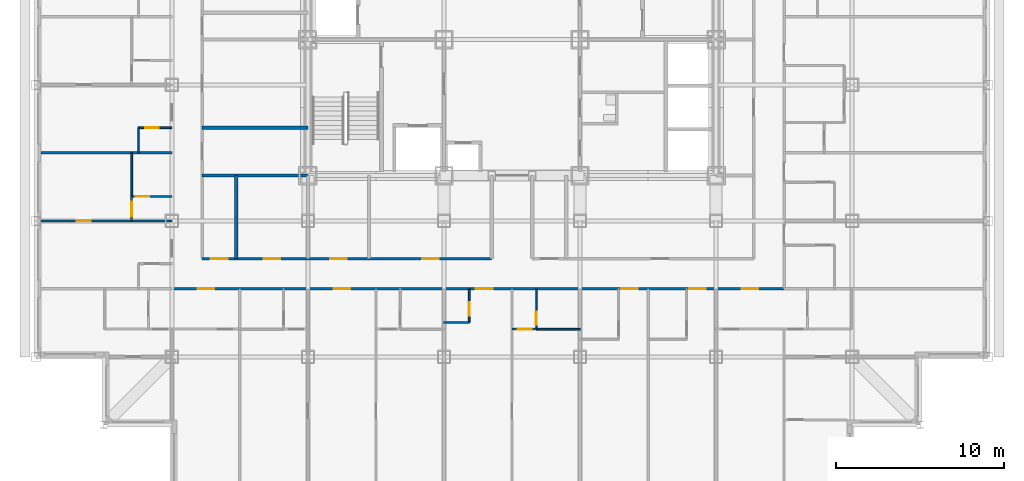
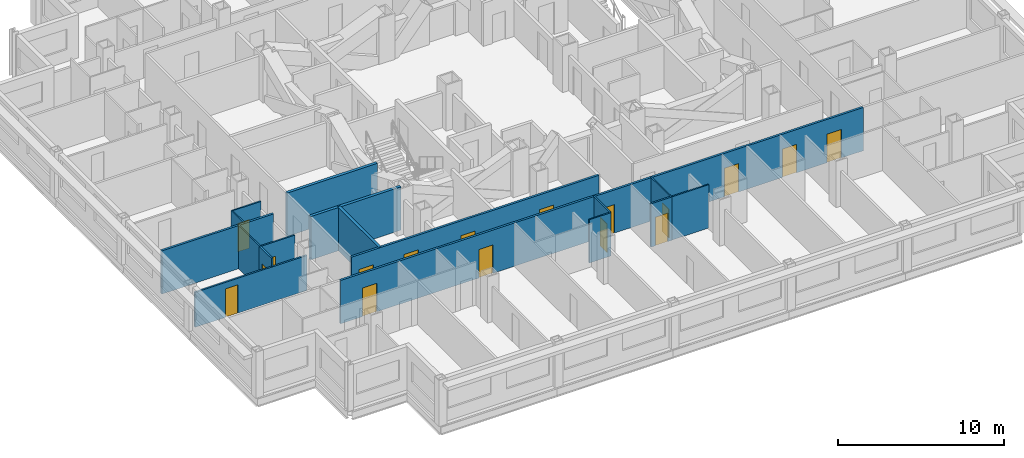
# One storey, part 5 of 14: 17 doors, 17 walls, 17 openings.
"""IFC4 building model written with IfcOpenShell, lengths in metres."""

import ifcopenshell
import ifcopenshell.guid

model = None  # the IFC model being written
_history = None  # IfcOwnerHistory: only IFC2X3 demands one
_inside = {}  # id of a spatial element -> (the spatial element, [elements in it])
_under = {}  # id of a project, library or spatial element -> (it, [spatial elements below it])
_declared = {}  # id of a project -> (the project, [libraries it declares])
_typed = {}  # id of a type object -> (the type object, [elements of that type])
_made_of = {}  # id of a material, layer set ... -> (it, [elements and type objects made of it])


def new_model(schema):
    """Start an empty IFC model of exactly this schema.

    Asked for "IFC4X3", IfcOpenShell would pick the latest addendum, in which some entities
    have other attributes; the version numbers below select the first issue.
    IFC2X3 requires an IfcOwnerHistory on every rooted entity: one is made here for all.
    """
    global model, _history
    if schema == "IFC4X3":
        model = ifcopenshell.file(schema_version=(4, 3, 0, 0))
    else:
        model = ifcopenshell.file(schema=schema)
    _inside.clear()
    _under.clear()
    _declared.clear()
    _typed.clear()
    _made_of.clear()
    _history = None
    if model.schema == "IFC2X3":
        org = make("IfcOrganization", Name="unknown")
        user = make(
            "IfcPersonAndOrganization",
            ThePerson=make("IfcPerson", FamilyName="unknown"),
            TheOrganization=org,
        )
        app = make(
            "IfcApplication",
            ApplicationDeveloper=org,
            Version="unknown",
            ApplicationFullName="unknown",
            ApplicationIdentifier="unknown",
        )
        _history = make(
            "IfcOwnerHistory",
            OwningUser=user,
            OwningApplication=app,
            ChangeAction="ADDED",
            CreationDate=0,
        )
    return model


def make(cls, **values):
    """One entity of the class cls with the attributes given. An attribute that is None is left unset."""
    return model.create_entity(
        cls, **{name: value for name, value in values.items() if value is not None}
    )


def rooted(cls, **values):
    """An entity with a GlobalId (a new one), such as an element, a storey or a relation."""
    return make(cls, GlobalId=ifcopenshell.guid.new(), OwnerHistory=_history, **values)


def si_unit(unit_type, name, prefix=None):
    """IfcSIUnit, for example si_unit("LENGTHUNIT", "METRE", prefix="MILLI")."""
    return make("IfcSIUnit", UnitType=unit_type, Prefix=prefix, Name=name)


def assignment(units):
    """IfcUnitAssignment: the units of a project."""
    return None if units is None else make("IfcUnitAssignment", Units=units)


def point(xyz):
    """IfcCartesianPoint."""
    return None if xyz is None else make("IfcCartesianPoint", Coordinates=xyz)


def direction(xyz):
    """IfcDirection."""
    return None if xyz is None else make("IfcDirection", DirectionRatios=xyz)


def frame(location, z_axis=None, x_axis=None):
    """IfcAxis2Placement3D, a coordinate frame: its origin and axes. An axis left out is left unset."""
    return make(
        "IfcAxis2Placement3D",
        Location=point(location),
        Axis=direction(z_axis),
        RefDirection=direction(x_axis),
    )


def frame_2d(location, x_axis=None):
    """IfcAxis2Placement2D, a coordinate frame in the plane: its origin and x axis."""
    return make(
        "IfcAxis2Placement2D", Location=point(location), RefDirection=direction(x_axis)
    )


def origin():
    """The frame at (0, 0, 0) with its axes left unset."""
    return frame((0.0, 0.0, 0.0))


def place(relative_to, where):
    """IfcLocalPlacement: puts the frame where relative to a parent placement (None: the world)."""
    return make(
        "IfcLocalPlacement", PlacementRelTo=relative_to, RelativePlacement=where
    )


def context(
    kind, dimensions, precision=None, world=None, true_north=None, identifier=None
):
    """IfcGeometricRepresentationContext, for example the 3D "Model" context."""
    return make(
        "IfcGeometricRepresentationContext",
        ContextIdentifier=identifier,
        ContextType=kind,
        CoordinateSpaceDimension=dimensions,
        Precision=precision,
        WorldCoordinateSystem=world,
        TrueNorth=true_north,
    )


def subcontext(parent, identifier, kind, view, scale=None):
    """IfcGeometricRepresentationSubContext, for example "Body" below "Model"."""
    return make(
        "IfcGeometricRepresentationSubContext",
        ContextIdentifier=identifier,
        ContextType=kind,
        ParentContext=parent,
        TargetScale=scale,
        TargetView=view,
    )


def project(units=None, contexts=None):
    """IfcProject with its units and contexts."""
    return rooted(
        "IfcProject",
        Name="project",
        RepresentationContexts=contexts,
        UnitsInContext=assignment(units),
    )


def spatial(cls, under=None, at=None, **own):
    """A site, building, storey or space (cls), placed at a placement, below another one or the project."""
    s = rooted(cls, ObjectPlacement=at, **own)
    if under is not None:
        _under.setdefault(under.id(), (under, []))[1].append(s)
    return s


def profile(cls, at=None, kind="AREA", **sizes):
    """A parametric profile (cls). Its sizes go by their IFC names, for example OverallWidth=200.0."""
    return make(cls, ProfileType=kind, Position=at, **sizes)


def rectangle(**sizes):
    """IfcRectangleProfileDef."""
    return profile("IfcRectangleProfileDef", **sizes)


def extrude(swept, where, along, depth):
    """IfcExtrudedAreaSolid: the profile swept, set in the frame where, extruded along a direction by depth."""
    return make(
        "IfcExtrudedAreaSolid",
        SweptArea=swept,
        Position=where,
        ExtrudedDirection=direction(along),
        Depth=depth,
    )


def shape(context_of_items, identifier, shape_type, items):
    """IfcShapeRepresentation: the items that make up one representation, for example the "Body"."""
    return make(
        "IfcShapeRepresentation",
        ContextOfItems=context_of_items,
        RepresentationIdentifier=identifier,
        RepresentationType=shape_type,
        Items=items,
    )


def material(Name=None, Category=None):
    """IfcMaterial."""
    return make("IfcMaterial", Name=Name, Category=Category)


def layer(
    of_material, thickness, ventilated=None, Name=None, Category=None, Priority=None
):
    """IfcMaterialLayer: one layer of a wall or slab, of a material (None: an air gap)."""
    return make(
        "IfcMaterialLayer",
        Material=of_material,
        LayerThickness=thickness,
        IsVentilated=ventilated,
        Name=Name,
        Category=Category,
        Priority=Priority,
    )


def layer_set(layers, Name=None):
    """IfcMaterialLayerSet."""
    return make("IfcMaterialLayerSet", MaterialLayers=layers, LayerSetName=Name)


def made_of(thing, what):
    """Note that an element or type object is made of a material, layer set ...; save() writes the relation."""
    if what is not None:
        _made_of.setdefault(what.id(), (what, []))[1].append(thing)
    return thing


def type_object(cls, material=None, **own):
    """A type object (cls), such as IfcWallType, which elements share."""
    return made_of(rooted(cls, **own), material)


def element(
    cls,
    number,
    at=None,
    inside=None,
    cuts=None,
    type_object=None,
    material=None,
    context=None,
    identifier="Body",
    shape_type=None,
    held_by="IfcProductDefinitionShape",
    body=None,
    shapes=None,
    **own,
):
    """One element of the class cls, such as IfcWall. Its Tag is "e" and its number.

    at: its placement. inside: the storey or other place that contains it. cuts: it is an
    opening in that element (IfcRelVoidsElement). A single representation is given by context,
    identifier, shape_type and body (its items); several are given by shapes. held_by: the class
    of the entity that holds the representations. save() writes the other relations.
    """
    e = rooted(cls, Tag="e%d" % number, ObjectPlacement=at, **own)
    if body is not None:
        shapes = [shape(context, identifier, shape_type, body)]
    if shapes is not None:
        e.Representation = make(held_by, Representations=shapes)
    if inside is not None:
        _inside.setdefault(inside.id(), (inside, []))[1].append(e)
    if cuts is not None:
        rooted(
            "IfcRelVoidsElement", RelatingBuildingElement=cuts, RelatedOpeningElement=e
        )
    if type_object is not None:
        _typed.setdefault(type_object.id(), (type_object, []))[1].append(e)
    return made_of(e, material)


def fill(opening, filler):
    """IfcRelFillsElement: the door or window that sits in an opening."""
    return rooted(
        "IfcRelFillsElement",
        RelatingOpeningElement=opening,
        RelatedBuildingElement=filler,
    )


def aggregate(whole, parts):
    """IfcRelAggregates: a whole, such as a stair, and the parts it consists of."""
    return rooted("IfcRelAggregates", RelatingObject=whole, RelatedObjects=parts)


def save(model, path):
    """Write the relations noted so far, then the file.

    IfcRelAggregates (storeys below a building ...), IfcRelContainedInSpatialStructure (elements
    in a storey), IfcRelDefinesByType, IfcRelAssociatesMaterial and IfcRelDeclares: one each for
    every whole, place, type object, material and project.
    """
    for whole, parts in _under.values():
        aggregate(whole, parts)
    for where, things in _inside.values():
        rooted(
            "IfcRelContainedInSpatialStructure",
            RelatedElements=things,
            RelatingStructure=where,
        )
    for kind, things in _typed.values():
        rooted("IfcRelDefinesByType", RelatedObjects=things, RelatingType=kind)
    for what, things in _made_of.values():
        rooted("IfcRelAssociatesMaterial", RelatedObjects=things, RelatingMaterial=what)
    for by, libraries in _declared.values():
        rooted("IfcRelDeclares", RelatingContext=by, RelatedDefinitions=libraries)
    model.write(path)


model = new_model("IFC4")

# Units and contexts
model_context = context("Model", 3, precision=1e-05, world=origin(), true_north=direction((0.0, 1.0)))
body_context = subcontext(model_context, "Body", "Model", "MODEL_VIEW")
ifc_project = project(units=[si_unit("LENGTHUNIT", "METRE"), si_unit("AREAUNIT", "SQUARE_METRE"), si_unit("VOLUMEUNIT", "CUBIC_METRE"), si_unit("PLANEANGLEUNIT", "RADIAN"), si_unit("MASSUNIT", "GRAM", prefix="KILO")], contexts=[model_context])

# Site, building, storey
site_placement = place(None, origin())
site = spatial("IfcSite", under=ifc_project, at=site_placement, CompositionType="ELEMENT")
building_placement = place(site_placement, origin())
building = spatial("IfcBuilding", under=site, at=building_placement, Name="Kopane Lantern Tower", CompositionType="ELEMENT")
storey_placement = place(building_placement, frame((0.0, 0.0, 137.39990234375)))
storey = spatial("IfcBuildingStorey", under=building, at=storey_placement, Name="L35", CompositionType="ELEMENT", Elevation=137.39990234375)

# Wall, opening, door
ifc_material_1 = material(Name="Gypsum board on steel studs", Category="steel")
ifc_layer_1 = layer(ifc_material_1, 0.1201171875)
ifc_layer_set_1 = layer_set([ifc_layer_1], Name="APARTMENT INTERNAL WALL 120")
wall_type_1 = type_object("IfcWallType", Name="APARTMENT INTERNAL WALL 120", PredefinedType="PARTITIONING", material=ifc_layer_set_1)
wall_1_placement = place(storey_placement, frame((8.10009765625, 21.60009765625, 0.0), z_axis=(0.0, 0.0, 1.0), x_axis=(-1.0, 0.0, 0.0)))
wall_1 = element("IfcWall", 1, at=wall_1_placement, inside=storey, type_object=wall_type_1, Name="Apartment Internal Wall 120 L35", PredefinedType="PARTITIONING", context=body_context, shape_type="SweptSolid", body=[
    extrude(rectangle(XDim=7.800048828125, YDim=0.1201171875, at=frame_2d((3.89990234375, 0.0))), origin(), (0.0, 0.0, 1.0), 2.577880859375),
])
opening_1_placement = place(wall_1_placement, frame((4.824951171875, 0.0, 0.0)))
opening_1 = element("IfcOpeningElement", 2, at=opening_1_placement, cuts=wall_1, Name="Opening L35-046", PredefinedType="OPENING", context=body_context, shape_type="SweptSolid", body=[
    extrude(rectangle(XDim=0.85009765625, YDim=2.10009765625, at=frame_2d((0.425048828125, 1.050048828125))), frame((0.0, 0.070068359375, 0.0), z_axis=(0.0, -1.0, 0.0), x_axis=(1.0, 0.0, 0.0)), (0.0, 0.0, 1.0), 0.14013671875),
])
ifc_material_2 = material(Name="Timber door set", Category="wood")
door_type_1 = type_object("IfcDoorType", Name="DOOR D4 850x2100", OperationType="SINGLE_SWING_LEFT", PredefinedType="DOOR", material=ifc_material_2)
door_1_placement = place(opening_1_placement, origin())
door_1 = element("IfcDoor", 3, at=door_1_placement, inside=storey, type_object=door_type_1, Name="Door L35-046", OperationType="SINGLE_SWING_RIGHT", OverallHeight=2.10009765625, OverallWidth=0.85009765625, PredefinedType="DOOR", context=body_context, shape_type="SweptSolid", body=[
    extrude(rectangle(XDim=0.85009765625, YDim=2.10009765625, at=frame_2d((0.425048828125, 1.050048828125))), frame((0.0, 0.02490234375, 0.0), z_axis=(0.0, -1.0, 0.0), x_axis=(1.0, 0.0, 0.0)), (0.0, 0.0, 1.0), 0.050048828125),
])
fill(opening_1, door_1)

wall_2_placement = place(storey_placement, frame((29.81005859375, 15.14990234375, 0.0), z_axis=(0.0, 0.0, 1.0), x_axis=(-1.0, 0.0, 0.0)))
wall_2 = element("IfcWall", 4, at=wall_2_placement, inside=storey, type_object=wall_type_1, Name="Apartment Internal Wall 120 L35", PredefinedType="PARTITIONING", context=body_context, shape_type="SweptSolid", body=[
    extrude(rectangle(XDim=1.4599609375, YDim=0.1201171875, at=frame_2d((0.72998046875, 0.0))), origin(), (0.0, 0.0, 1.0), 3.190185546875),
])
opening_2_placement = place(wall_2_placement, frame((0.27490234375, 0.0, 0.0)))
opening_2 = element("IfcOpeningElement", 5, at=opening_2_placement, cuts=wall_2, Name="Opening L35-089", PredefinedType="OPENING", context=body_context, shape_type="SweptSolid", body=[
    extrude(rectangle(XDim=0.85009765625, YDim=2.10009765625, at=frame_2d((0.425048828125, 1.050048828125))), frame((0.0, 0.070068359375, 0.0), z_axis=(0.0, -1.0, 0.0), x_axis=(1.0, 0.0, 0.0)), (0.0, 0.0, 1.0), 0.14013671875),
])
door_2_placement = place(opening_2_placement, origin())
door_2 = element("IfcDoor", 6, at=door_2_placement, inside=storey, type_object=door_type_1, Name="Door L35-089", OperationType="SINGLE_SWING_RIGHT", OverallHeight=2.10009765625, OverallWidth=0.85009765625, PredefinedType="DOOR", context=body_context, shape_type="SweptSolid", body=[
    extrude(rectangle(XDim=0.85009765625, YDim=2.10009765625, at=frame_2d((0.425048828125, 1.050048828125))), frame((0.0, 0.02490234375, 0.0), z_axis=(0.0, -1.0, 0.0), x_axis=(1.0, 0.0, 0.0)), (0.0, 0.0, 1.0), 0.050048828125),
])
fill(opening_2, door_2)

wall_3_placement = place(storey_placement, frame((5.699951171875, 21.60009765625, 0.0), z_axis=(0.0, 0.0, 1.0), x_axis=(0.0, 1.0, 0.0)))
wall_3 = element("IfcWall", 7, at=wall_3_placement, inside=storey, type_object=wall_type_1, Name="Apartment Internal Wall 120 L35", PredefinedType="PARTITIONING", context=body_context, shape_type="SweptSolid", body=[
    extrude(rectangle(XDim=1.4599609375, YDim=0.1201171875, at=frame_2d((0.72998046875, 0.0))), origin(), (0.0, 0.0, 1.0), 3.190185546875),
])
opening_3_placement = place(wall_3_placement, frame((0.27490234375, 0.0, 0.0)))
opening_3 = element("IfcOpeningElement", 8, at=opening_3_placement, cuts=wall_3, Name="Opening L35-094", PredefinedType="OPENING", context=body_context, shape_type="SweptSolid", body=[
    extrude(rectangle(XDim=0.85009765625, YDim=2.10009765625, at=frame_2d((0.425048828125, 1.050048828125))), frame((0.0, 0.070068359375, 0.0), z_axis=(0.0, -1.0, 0.0), x_axis=(1.0, 0.0, 0.0)), (0.0, 0.0, 1.0), 0.14013671875),
])
door_3_placement = place(opening_3_placement, origin())
door_3 = element("IfcDoor", 9, at=door_3_placement, inside=storey, type_object=door_type_1, Name="Door L35-094", OperationType="SINGLE_SWING_LEFT", OverallHeight=2.10009765625, OverallWidth=0.85009765625, PredefinedType="DOOR", context=body_context, shape_type="SweptSolid", body=[
    extrude(rectangle(XDim=0.85009765625, YDim=2.10009765625, at=frame_2d((0.425048828125, 1.050048828125))), frame((0.0, 0.02490234375, 0.0), z_axis=(0.0, -1.0, 0.0), x_axis=(1.0, 0.0, 0.0)), (0.0, 0.0, 1.0), 0.050048828125),
])
fill(opening_3, door_3)

# Wall
ifc_material_3 = material(Name="Moisture-resistant board on steel studs", Category="steel")
ifc_layer_2 = layer(ifc_material_3, 0.10009765625)
ifc_layer_set_2 = layer_set([ifc_layer_2], Name="BATHROOM WALL 100")
wall_type_2 = type_object("IfcWallType", Name="BATHROOM WALL 100", PredefinedType="PARTITIONING", material=ifc_layer_set_2)
wall_4_placement = place(storey_placement, frame((24.300048828125, 15.550048828125, 0.0), z_axis=(0.0, 0.0, 1.0), x_axis=(1.0, 0.0, 0.0)))
element("IfcWall", 10, at=wall_4_placement, inside=storey, type_object=wall_type_2, Name="Bathroom Wall 100 L35", PredefinedType="PARTITIONING", context=body_context, shape_type="SweptSolid", body=[
    extrude(rectangle(XDim=1.5, YDim=0.10009765625, at=frame_2d((0.75, 0.0))), origin(), (0.0, 0.0, 1.0), 3.190185546875),
])

# Wall, opening, door
wall_5_placement = place(storey_placement, frame((25.800048828125, 17.550048828125, 0.0), z_axis=(0.0, 0.0, 1.0), x_axis=(0.0, -1.0, 0.0)))
wall_5 = element("IfcWall", 11, at=wall_5_placement, inside=storey, type_object=wall_type_2, Name="Bathroom Wall 100 L35", PredefinedType="PARTITIONING", context=body_context, shape_type="SweptSolid", body=[
    extrude(rectangle(XDim=2.0, YDim=0.10009765625, at=frame_2d((1.0, 0.0))), origin(), (0.0, 0.0, 1.0), 3.190185546875),
])
opening_4_placement = place(wall_5_placement, frame((0.800048828125, 0.0, 0.0)))
opening_4 = element("IfcOpeningElement", 12, at=opening_4_placement, cuts=wall_5, Name="Opening L35-023", PredefinedType="OPENING", context=body_context, shape_type="SweptSolid", body=[
    extrude(rectangle(XDim=0.800048828125, YDim=2.10009765625, at=frame_2d((0.39990234375, 1.050048828125))), frame((0.0, 0.06005859375, 0.0), z_axis=(0.0, -1.0, 0.0), x_axis=(1.0, 0.0, 0.0)), (0.0, 0.0, 1.0), 0.1201171875),
])
ifc_material_4 = material(Name="Timber door set", Category="wood")
door_type_2 = type_object("IfcDoorType", Name="DOOR D2 800x2100", OperationType="SINGLE_SWING_LEFT", PredefinedType="DOOR", material=ifc_material_4)
door_4_placement = place(opening_4_placement, origin())
door_4 = element("IfcDoor", 13, at=door_4_placement, inside=storey, type_object=door_type_2, Name="Door L35-023", OperationType="SINGLE_SWING_LEFT", OverallHeight=2.10009765625, OverallWidth=0.800048828125, PredefinedType="DOOR", context=body_context, shape_type="SweptSolid", body=[
    extrude(rectangle(XDim=0.800048828125, YDim=2.10009765625, at=frame_2d((0.39990234375, 1.050048828125))), frame((0.0, 0.02490234375, 0.0), z_axis=(0.0, -1.0, 0.0), x_axis=(1.0, 0.0, 0.0)), (0.0, 0.0, 1.0), 0.050048828125),
])
fill(opening_4, door_4)

# Wall
wall_6_placement = place(storey_placement, frame((29.800048828125, 15.14990234375, 0.0), z_axis=(0.0, 0.0, 1.0), x_axis=(1.0, 0.0, 0.0)))
element("IfcWall", 14, at=wall_6_placement, inside=storey, type_object=wall_type_2, Name="Bathroom Wall 100 L35", PredefinedType="PARTITIONING", context=body_context, shape_type="SweptSolid", body=[
    extrude(rectangle(XDim=2.599853515625, YDim=0.10009765625, at=frame_2d((1.2998046875, 0.0))), origin(), (0.0, 0.0, 1.0), 3.190185546875),
])

# Wall, opening, door
wall_7_placement = place(storey_placement, frame((29.800048828125, 17.550048828125, 0.0), z_axis=(0.0, 0.0, 1.0), x_axis=(0.0, -1.0, 0.0)))
wall_7 = element("IfcWall", 15, at=wall_7_placement, inside=storey, type_object=wall_type_2, Name="Bathroom Wall 100 L35", PredefinedType="PARTITIONING", context=body_context, shape_type="SweptSolid", body=[
    extrude(rectangle(XDim=2.400146484375, YDim=0.10009765625, at=frame_2d((1.2001953125, 0.0))), origin(), (0.0, 0.0, 1.0), 3.190185546875),
])
opening_5_placement = place(wall_7_placement, frame((1.35009765625, 0.0, 0.0)))
opening_5 = element("IfcOpeningElement", 16, at=opening_5_placement, cuts=wall_7, Name="Opening L35-025", PredefinedType="OPENING", context=body_context, shape_type="SweptSolid", body=[
    extrude(rectangle(XDim=0.800048828125, YDim=2.10009765625, at=frame_2d((0.39990234375, 1.050048828125))), frame((0.0, 0.06005859375, 0.0), z_axis=(0.0, -1.0, 0.0), x_axis=(1.0, 0.0, 0.0)), (0.0, 0.0, 1.0), 0.1201171875),
])
door_5_placement = place(opening_5_placement, origin())
door_5 = element("IfcDoor", 17, at=door_5_placement, inside=storey, type_object=door_type_2, Name="Door L35-025", OperationType="SINGLE_SWING_LEFT", OverallHeight=2.10009765625, OverallWidth=0.800048828125, PredefinedType="DOOR", context=body_context, shape_type="SweptSolid", body=[
    extrude(rectangle(XDim=0.800048828125, YDim=2.10009765625, at=frame_2d((0.39990234375, 1.050048828125))), frame((0.0, 0.02490234375, 0.0), z_axis=(0.0, -1.0, 0.0), x_axis=(1.0, 0.0, 0.0)), (0.0, 0.0, 1.0), 0.050048828125),
])
fill(opening_5, door_5)

# Wall
wall_8_placement = place(storey_placement, frame((5.699951171875, 23.050048828125, 0.0), z_axis=(0.0, 0.0, 1.0), x_axis=(0.0, 1.0, 0.0)))
element("IfcWall", 18, at=wall_8_placement, inside=storey, type_object=wall_type_2, Name="Bathroom Wall 100 L35", PredefinedType="PARTITIONING", context=body_context, shape_type="SweptSolid", body=[
    extrude(rectangle(XDim=2.599853515625, YDim=0.10009765625, at=frame_2d((1.2998046875, 0.0))), origin(), (0.0, 0.0, 1.0), 3.190185546875),
])

# Wall, opening, door
wall_9_placement = place(storey_placement, frame((8.10009765625, 23.050048828125, 0.0), z_axis=(0.0, 0.0, 1.0), x_axis=(-1.0, 0.0, 0.0)))
wall_9 = element("IfcWall", 19, at=wall_9_placement, inside=storey, type_object=wall_type_2, Name="Bathroom Wall 100 L35", PredefinedType="PARTITIONING", context=body_context, shape_type="SweptSolid", body=[
    extrude(rectangle(XDim=2.400146484375, YDim=0.10009765625, at=frame_2d((1.2001953125, 0.0))), origin(), (0.0, 0.0, 1.0), 3.190185546875),
])
opening_6_placement = place(wall_9_placement, frame((1.35009765625, 0.0, 0.0)))
opening_6 = element("IfcOpeningElement", 20, at=opening_6_placement, cuts=wall_9, Name="Opening L35-045", PredefinedType="OPENING", context=body_context, shape_type="SweptSolid", body=[
    extrude(rectangle(XDim=0.800048828125, YDim=2.10009765625, at=frame_2d((0.39990234375, 1.050048828125))), frame((0.0, 0.06005859375, 0.0), z_axis=(0.0, -1.0, 0.0), x_axis=(1.0, 0.0, 0.0)), (0.0, 0.0, 1.0), 0.1201171875),
])
door_6_placement = place(opening_6_placement, origin())
door_6 = element("IfcDoor", 21, at=door_6_placement, inside=storey, type_object=door_type_2, Name="Door L35-045", OperationType="SINGLE_SWING_RIGHT", OverallHeight=2.10009765625, OverallWidth=0.800048828125, PredefinedType="DOOR", context=body_context, shape_type="SweptSolid", body=[
    extrude(rectangle(XDim=0.800048828125, YDim=2.10009765625, at=frame_2d((0.39990234375, 1.050048828125))), frame((0.0, 0.02490234375, 0.0), z_axis=(0.0, -1.0, 0.0), x_axis=(1.0, 0.0, 0.0)), (0.0, 0.0, 1.0), 0.050048828125),
])
fill(opening_6, door_6)

# Wall
wall_10_placement = place(storey_placement, frame((6.10009765625, 25.64990234375, 0.0), z_axis=(0.0, 0.0, 1.0), x_axis=(0.0, 1.0, 0.0)))
element("IfcWall", 22, at=wall_10_placement, inside=storey, type_object=wall_type_2, Name="Bathroom Wall 100 L35", PredefinedType="PARTITIONING", context=body_context, shape_type="SweptSolid", body=[
    extrude(rectangle(XDim=1.5, YDim=0.10009765625, at=frame_2d((0.75, 0.0))), origin(), (0.0, 0.0, 1.0), 3.190185546875),
])

# Wall, opening, door
wall_11_placement = place(storey_placement, frame((8.10009765625, 27.14990234375, 0.0), z_axis=(0.0, 0.0, 1.0), x_axis=(-1.0, 0.0, 0.0)))
wall_11 = element("IfcWall", 23, at=wall_11_placement, inside=storey, type_object=wall_type_2, Name="Bathroom Wall 100 L35", PredefinedType="PARTITIONING", context=body_context, shape_type="SweptSolid", body=[
    extrude(rectangle(XDim=2.0, YDim=0.10009765625, at=frame_2d((1.0, 0.0))), origin(), (0.0, 0.0, 1.0), 3.190185546875),
])
opening_7_placement = place(wall_11_placement, frame((0.800048828125, 0.0, 0.0)))
opening_7 = element("IfcOpeningElement", 24, at=opening_7_placement, cuts=wall_11, Name="Opening L35-047", PredefinedType="OPENING", context=body_context, shape_type="SweptSolid", body=[
    extrude(rectangle(XDim=0.800048828125, YDim=2.10009765625, at=frame_2d((0.39990234375, 1.050048828125))), frame((0.0, 0.06005859375, 0.0), z_axis=(0.0, -1.0, 0.0), x_axis=(1.0, 0.0, 0.0)), (0.0, 0.0, 1.0), 0.1201171875),
])
door_7_placement = place(opening_7_placement, origin())
door_7 = element("IfcDoor", 25, at=door_7_placement, inside=storey, type_object=door_type_2, Name="Door L35-047", OperationType="SINGLE_SWING_RIGHT", OverallHeight=2.10009765625, OverallWidth=0.800048828125, PredefinedType="DOOR", context=body_context, shape_type="SweptSolid", body=[
    extrude(rectangle(XDim=0.800048828125, YDim=2.10009765625, at=frame_2d((0.39990234375, 1.050048828125))), frame((0.0, 0.02490234375, 0.0), z_axis=(0.0, -1.0, 0.0), x_axis=(1.0, 0.0, 0.0)), (0.0, 0.0, 1.0), 0.050048828125),
])
fill(opening_7, door_7)

# Wall, openings, doors
ifc_material_5 = material(Name="Gypsum board on steel studs", Category="steel")
ifc_layer_3 = layer(ifc_material_5, 0.14990234375)
ifc_layer_set_3 = layer_set([ifc_layer_3], Name="CORRIDOR WALL 150 EI 60")
wall_type_3 = type_object("IfcWallType", Name="CORRIDOR WALL 150 EI 60", PredefinedType="PARTITIONING", material=ifc_layer_set_3)
wall_12_placement = place(storey_placement, frame((8.10009765625, 17.550048828125, 0.0), z_axis=(0.0, 0.0, 1.0), x_axis=(1.0, 0.0, 0.0)))
wall_12 = element("IfcWall", 26, at=wall_12_placement, inside=storey, type_object=wall_type_3, Name="Corridor Wall 150 Ei 60 L35", PredefinedType="PARTITIONING", context=body_context, shape_type="SweptSolid", body=[
    extrude(rectangle(XDim=36.449951171875, YDim=0.14990234375, at=frame_2d((18.22509765625, 0.0))), origin(), (0.0, 0.0, 1.0), 3.190185546875),
])
opening_8_placement = place(wall_12_placement, frame((9.625, 0.0, 0.0)))
opening_8 = element("IfcOpeningElement", 27, at=opening_8_placement, cuts=wall_12, Name="Opening L35-018", PredefinedType="OPENING", context=body_context, shape_type="SweptSolid", body=[
    extrude(rectangle(XDim=1.0, YDim=2.10009765625, at=frame_2d((0.5, 1.050048828125))), frame((0.0, 0.0849609375, 0.0), z_axis=(0.0, -1.0, 0.0), x_axis=(1.0, 0.0, 0.0)), (0.0, 0.0, 1.0), 0.169921875),
])
opening_9_placement = place(wall_12_placement, frame((18.10009765625, 0.0, 0.0)))
opening_9 = element("IfcOpeningElement", 28, at=opening_9_placement, cuts=wall_12, Name="Opening L35-024", PredefinedType="OPENING", context=body_context, shape_type="SweptSolid", body=[
    extrude(rectangle(XDim=1.0, YDim=2.10009765625, at=frame_2d((0.5, 1.050048828125))), frame((0.0, 0.0849609375, 0.0), z_axis=(0.0, -1.0, 0.0), x_axis=(1.0, 0.0, 0.0)), (0.0, 0.0, 1.0), 0.169921875),
])
opening_10_placement = place(wall_12_placement, frame((26.75, 0.0, 0.0)))
opening_10 = element("IfcOpeningElement", 29, at=opening_10_placement, cuts=wall_12, Name="Opening L35-028", PredefinedType="OPENING", context=body_context, shape_type="SweptSolid", body=[
    extrude(rectangle(XDim=1.0, YDim=2.10009765625, at=frame_2d((0.5, 1.050048828125))), frame((0.0, 0.0849609375, 0.0), z_axis=(0.0, -1.0, 0.0), x_axis=(1.0, 0.0, 0.0)), (0.0, 0.0, 1.0), 0.169921875),
])
opening_11_placement = place(wall_12_placement, frame((30.800048828125, 0.0, 0.0)))
opening_11 = element("IfcOpeningElement", 30, at=opening_11_placement, cuts=wall_12, Name="Opening L35-030", PredefinedType="OPENING", context=body_context, shape_type="SweptSolid", body=[
    extrude(rectangle(XDim=1.0, YDim=2.10009765625, at=frame_2d((0.5, 1.050048828125))), frame((0.0, 0.0849609375, 0.0), z_axis=(0.0, -1.0, 0.0), x_axis=(1.0, 0.0, 0.0)), (0.0, 0.0, 1.0), 0.169921875),
])
opening_12_placement = place(wall_12_placement, frame((1.52490234375, 0.0, 0.0)))
opening_12 = element("IfcOpeningElement", 31, at=opening_12_placement, cuts=wall_12, Name="Opening L35-070", PredefinedType="OPENING", context=body_context, shape_type="SweptSolid", body=[
    extrude(rectangle(XDim=1.0, YDim=2.10009765625, at=frame_2d((0.5, 1.050048828125))), frame((0.0, 0.0849609375, 0.0), z_axis=(0.0, -1.0, 0.0), x_axis=(1.0, 0.0, 0.0)), (0.0, 0.0, 1.0), 0.169921875),
])
opening_13_placement = place(wall_12_placement, frame((33.925048828125, 0.0, 0.0)))
opening_13 = element("IfcOpeningElement", 32, at=opening_13_placement, cuts=wall_12, Name="Opening L35-075", PredefinedType="OPENING", context=body_context, shape_type="SweptSolid", body=[
    extrude(rectangle(XDim=1.0, YDim=2.10009765625, at=frame_2d((0.5, 1.050048828125))), frame((0.0, 0.0849609375, 0.0), z_axis=(0.0, -1.0, 0.0), x_axis=(1.0, 0.0, 0.0)), (0.0, 0.0, 1.0), 0.169921875),
])
ifc_material_6 = material(Name="Steel door set", Category="steel")
door_type_3 = type_object("IfcDoorType", Name="DOOR D1 1000x2100 FD30S", OperationType="SINGLE_SWING_LEFT", PredefinedType="DOOR", material=ifc_material_6)
door_8_placement = place(opening_8_placement, origin())
door_8 = element("IfcDoor", 33, at=door_8_placement, inside=storey, type_object=door_type_3, Name="Door L35-018", OperationType="SINGLE_SWING_LEFT", OverallHeight=2.10009765625, OverallWidth=1.0, PredefinedType="DOOR", context=body_context, shape_type="SweptSolid", body=[
    extrude(rectangle(XDim=1.0, YDim=2.10009765625, at=frame_2d((0.5, 1.050048828125))), frame((0.0, 0.02490234375, 0.0), z_axis=(0.0, -1.0, 0.0), x_axis=(1.0, 0.0, 0.0)), (0.0, 0.0, 1.0), 0.050048828125),
])
fill(opening_8, door_8)
door_9_placement = place(opening_9_placement, origin())
door_9 = element("IfcDoor", 34, at=door_9_placement, inside=storey, type_object=door_type_3, Name="Door L35-024", OperationType="SINGLE_SWING_RIGHT", OverallHeight=2.10009765625, OverallWidth=1.0, PredefinedType="DOOR", context=body_context, shape_type="SweptSolid", body=[
    extrude(rectangle(XDim=1.0, YDim=2.10009765625, at=frame_2d((0.5, 1.050048828125))), frame((0.0, 0.02490234375, 0.0), z_axis=(0.0, -1.0, 0.0), x_axis=(1.0, 0.0, 0.0)), (0.0, 0.0, 1.0), 0.050048828125),
])
fill(opening_9, door_9)
door_10_placement = place(opening_10_placement, origin())
door_10 = element("IfcDoor", 35, at=door_10_placement, inside=storey, type_object=door_type_3, Name="Door L35-028", OperationType="SINGLE_SWING_RIGHT", OverallHeight=2.10009765625, OverallWidth=1.0, PredefinedType="DOOR", context=body_context, shape_type="SweptSolid", body=[
    extrude(rectangle(XDim=1.0, YDim=2.10009765625, at=frame_2d((0.5, 1.050048828125))), frame((0.0, 0.02490234375, 0.0), z_axis=(0.0, -1.0, 0.0), x_axis=(1.0, 0.0, 0.0)), (0.0, 0.0, 1.0), 0.050048828125),
])
fill(opening_10, door_10)
door_11_placement = place(opening_11_placement, origin())
door_11 = element("IfcDoor", 36, at=door_11_placement, inside=storey, type_object=door_type_3, Name="Door L35-030", OperationType="SINGLE_SWING_RIGHT", OverallHeight=2.10009765625, OverallWidth=1.0, PredefinedType="DOOR", context=body_context, shape_type="SweptSolid", body=[
    extrude(rectangle(XDim=1.0, YDim=2.10009765625, at=frame_2d((0.5, 1.050048828125))), frame((0.0, 0.02490234375, 0.0), z_axis=(0.0, -1.0, 0.0), x_axis=(1.0, 0.0, 0.0)), (0.0, 0.0, 1.0), 0.050048828125),
])
fill(opening_11, door_11)
door_12_placement = place(opening_12_placement, origin())
door_12 = element("IfcDoor", 37, at=door_12_placement, inside=storey, type_object=door_type_3, Name="Door L35-070", OperationType="SINGLE_SWING_LEFT", OverallHeight=2.10009765625, OverallWidth=1.0, PredefinedType="DOOR", context=body_context, shape_type="SweptSolid", body=[
    extrude(rectangle(XDim=1.0, YDim=2.10009765625, at=frame_2d((0.5, 1.050048828125))), frame((0.0, 0.02490234375, 0.0), z_axis=(0.0, -1.0, 0.0), x_axis=(1.0, 0.0, 0.0)), (0.0, 0.0, 1.0), 0.050048828125),
])
fill(opening_12, door_12)
door_13_placement = place(opening_13_placement, origin())
door_13 = element("IfcDoor", 38, at=door_13_placement, inside=storey, type_object=door_type_3, Name="Door L35-075", OperationType="SINGLE_SWING_RIGHT", OverallHeight=2.10009765625, OverallWidth=1.0, PredefinedType="DOOR", context=body_context, shape_type="SweptSolid", body=[
    extrude(rectangle(XDim=1.0, YDim=2.10009765625, at=frame_2d((0.5, 1.050048828125))), frame((0.0, 0.02490234375, 0.0), z_axis=(0.0, -1.0, 0.0), x_axis=(1.0, 0.0, 0.0)), (0.0, 0.0, 1.0), 0.050048828125),
])
fill(opening_13, door_13)

wall_13_placement = place(storey_placement, frame((9.89990234375, 19.35009765625, 0.0), z_axis=(0.0, 0.0, 1.0), x_axis=(1.0, 0.0, 0.0)))
wall_13 = element("IfcWall", 39, at=wall_13_placement, inside=storey, type_object=wall_type_3, Name="Corridor Wall 150 Ei 60 L35", PredefinedType="PARTITIONING", context=body_context, shape_type="SweptSolid", body=[
    extrude(rectangle(XDim=17.239990234375, YDim=0.14990234375, at=frame_2d((8.6201171875, 0.0))), origin(), (0.0, 0.0, 1.0), 3.190185546875),
])
opening_14_placement = place(wall_13_placement, frame((0.510009765625, 0.0, 0.0)))
opening_14 = element("IfcOpeningElement", 40, at=opening_14_placement, cuts=wall_13, Name="Opening L35-007", PredefinedType="OPENING", context=body_context, shape_type="SweptSolid", body=[
    extrude(rectangle(XDim=1.0, YDim=2.10009765625, at=frame_2d((0.5, 1.050048828125))), frame((0.0, 0.0849609375, 0.0), z_axis=(0.0, -1.0, 0.0), x_axis=(1.0, 0.0, 0.0)), (0.0, 0.0, 1.0), 0.169921875),
])
opening_15_placement = place(wall_13_placement, frame((3.66015625, 0.0, 0.0)))
opening_15 = element("IfcOpeningElement", 41, at=opening_15_placement, cuts=wall_13, Name="Opening L35-008", PredefinedType="OPENING", context=body_context, shape_type="SweptSolid", body=[
    extrude(rectangle(XDim=1.0, YDim=2.10009765625, at=frame_2d((0.5, 1.050048828125))), frame((0.0, 0.0849609375, 0.0), z_axis=(0.0, -1.0, 0.0), x_axis=(1.0, 0.0, 0.0)), (0.0, 0.0, 1.0), 0.169921875),
])
opening_16_placement = place(wall_13_placement, frame((7.6181640625, 0.0, 0.0)))
opening_16 = element("IfcOpeningElement", 42, at=opening_16_placement, cuts=wall_13, Name="Opening L35-009", PredefinedType="OPENING", context=body_context, shape_type="SweptSolid", body=[
    extrude(rectangle(XDim=1.0, YDim=2.10009765625, at=frame_2d((0.5, 1.050048828125))), frame((0.0, 0.0849609375, 0.0), z_axis=(0.0, -1.0, 0.0), x_axis=(1.0, 0.0, 0.0)), (0.0, 0.0, 1.0), 0.169921875),
])
opening_17_placement = place(wall_13_placement, frame((13.09326171875, 0.0, 0.0)))
opening_17 = element("IfcOpeningElement", 43, at=opening_17_placement, cuts=wall_13, Name="Opening L35-010", PredefinedType="OPENING", context=body_context, shape_type="SweptSolid", body=[
    extrude(rectangle(XDim=1.0, YDim=2.10009765625, at=frame_2d((0.5, 1.050048828125))), frame((0.0, 0.0849609375, 0.0), z_axis=(0.0, -1.0, 0.0), x_axis=(1.0, 0.0, 0.0)), (0.0, 0.0, 1.0), 0.169921875),
])
ifc_material_7 = material(Name="Steel door set", Category="steel")
door_type_4 = type_object("IfcDoorType", Name="DOOR D5 1000x2100 FD60", OperationType="SINGLE_SWING_LEFT", PredefinedType="DOOR", material=ifc_material_7)
door_14_placement = place(opening_14_placement, origin())
door_14 = element("IfcDoor", 44, at=door_14_placement, inside=storey, type_object=door_type_4, Name="Door L35-007", OperationType="SINGLE_SWING_LEFT", OverallHeight=2.10009765625, OverallWidth=1.0, PredefinedType="DOOR", context=body_context, shape_type="SweptSolid", body=[
    extrude(rectangle(XDim=1.0, YDim=2.10009765625, at=frame_2d((0.5, 1.050048828125))), frame((0.0, 0.02490234375, 0.0), z_axis=(0.0, -1.0, 0.0), x_axis=(1.0, 0.0, 0.0)), (0.0, 0.0, 1.0), 0.050048828125),
])
fill(opening_14, door_14)
door_15_placement = place(opening_15_placement, origin())
door_15 = element("IfcDoor", 45, at=door_15_placement, inside=storey, type_object=door_type_4, Name="Door L35-008", OperationType="SINGLE_SWING_RIGHT", OverallHeight=2.10009765625, OverallWidth=1.0, PredefinedType="DOOR", context=body_context, shape_type="SweptSolid", body=[
    extrude(rectangle(XDim=1.0, YDim=2.10009765625, at=frame_2d((0.5, 1.050048828125))), frame((0.0, 0.02490234375, 0.0), z_axis=(0.0, -1.0, 0.0), x_axis=(1.0, 0.0, 0.0)), (0.0, 0.0, 1.0), 0.050048828125),
])
fill(opening_15, door_15)
door_16_placement = place(opening_16_placement, origin())
door_16 = element("IfcDoor", 46, at=door_16_placement, inside=storey, type_object=door_type_4, Name="Door L35-009", OperationType="SINGLE_SWING_LEFT", OverallHeight=2.10009765625, OverallWidth=1.0, PredefinedType="DOOR", context=body_context, shape_type="SweptSolid", body=[
    extrude(rectangle(XDim=1.0, YDim=2.10009765625, at=frame_2d((0.5, 1.050048828125))), frame((0.0, 0.02490234375, 0.0), z_axis=(0.0, -1.0, 0.0), x_axis=(1.0, 0.0, 0.0)), (0.0, 0.0, 1.0), 0.050048828125),
])
fill(opening_16, door_16)
door_17_placement = place(opening_17_placement, origin())
door_17 = element("IfcDoor", 47, at=door_17_placement, inside=storey, type_object=door_type_4, Name="Door L35-010", OperationType="SINGLE_SWING_RIGHT", OverallHeight=2.10009765625, OverallWidth=1.0, PredefinedType="DOOR", context=body_context, shape_type="SweptSolid", body=[
    extrude(rectangle(XDim=1.0, YDim=2.10009765625, at=frame_2d((0.5, 1.050048828125))), frame((0.0, 0.02490234375, 0.0), z_axis=(0.0, -1.0, 0.0), x_axis=(1.0, 0.0, 0.0)), (0.0, 0.0, 1.0), 0.050048828125),
])
fill(opening_17, door_17)

# Walls
ifc_material_8 = material(Name="Gypsum board on steel studs", Category="steel")
ifc_layer_4 = layer(ifc_material_8, 0.14990234375)
ifc_layer_set_4 = layer_set([ifc_layer_4], Name="DEMISING WALL 150 EI 60")
wall_type_4 = type_object("IfcWallType", Name="DEMISING WALL 150 EI 60", PredefinedType="PARTITIONING", material=ifc_layer_set_4)
wall_14_placement = place(storey_placement, frame((8.10009765625, 25.64990234375, 0.0), z_axis=(0.0, 0.0, 1.0), x_axis=(-1.0, 0.0, 0.0)))
element("IfcWall", 48, at=wall_14_placement, inside=storey, type_object=wall_type_4, Name="Demising Wall 150 Ei 60 L35", PredefinedType="PARTITIONING", context=body_context, shape_type="SweptSolid", body=[
    extrude(rectangle(XDim=7.800048828125, YDim=0.14990234375, at=frame_2d((3.89990234375, 0.0))), origin(), (0.0, 0.0, 1.0), 3.190185546875),
])
ifc_material_9 = material(Name="Concrete masonry", Category="masonry")
ifc_layer_5 = layer(ifc_material_9, 0.199951171875)
ifc_layer_set_5 = layer_set([ifc_layer_5], Name="PLANT ROOM WALL 200 EI 120")
wall_type_5 = type_object("IfcWallType", Name="PLANT ROOM WALL 200 EI 120", PredefinedType="SOLIDWALL", material=ifc_layer_set_5)
wall_15_placement = place(storey_placement, frame((9.89990234375, 27.156982421875, 0.0), z_axis=(0.0, 0.0, 1.0), x_axis=(1.0, 0.0, 0.0)))
element("IfcWall", 49, at=wall_15_placement, inside=storey, type_object=wall_type_5, Name="Plant Room Wall 200 Ei 120 L35", PredefinedType="SOLIDWALL", context=body_context, shape_type="SweptSolid", body=[
    extrude(rectangle(XDim=6.300048828125, YDim=0.199951171875, at=frame_2d((3.14990234375, 0.0))), origin(), (0.0, 0.0, 1.0), 3.190185546875),
])
wall_16_placement = place(storey_placement, frame((11.920166015625, 19.35009765625, 0.0), z_axis=(0.0, 0.0, 1.0), x_axis=(0.0, 1.0, 0.0)))
element("IfcWall", 50, at=wall_16_placement, inside=storey, type_object=wall_type_5, Name="Plant Room Wall 200 Ei 120 L35", PredefinedType="SOLIDWALL", context=body_context, shape_type="SweptSolid", body=[
    extrude(rectangle(XDim=4.949951171875, YDim=0.199951171875, at=frame_2d((2.47509765625, 0.0))), origin(), (0.0, 0.0, 1.0), 3.190185546875),
])
wall_17_placement = place(storey_placement, frame((9.89990234375, 24.300048828125, 0.0), z_axis=(0.0, 0.0, 1.0), x_axis=(1.0, 0.0, 0.0)))
element("IfcWall", 51, at=wall_17_placement, inside=storey, type_object=wall_type_5, Name="Plant Room Wall 200 Ei 120 L35", PredefinedType="SOLIDWALL", context=body_context, shape_type="SweptSolid", body=[
    extrude(rectangle(XDim=6.300048828125, YDim=0.199951171875, at=frame_2d((3.14990234375, 0.0))), origin(), (0.0, 0.0, 1.0), 3.190185546875),
])

save(model, "model.ifc")
